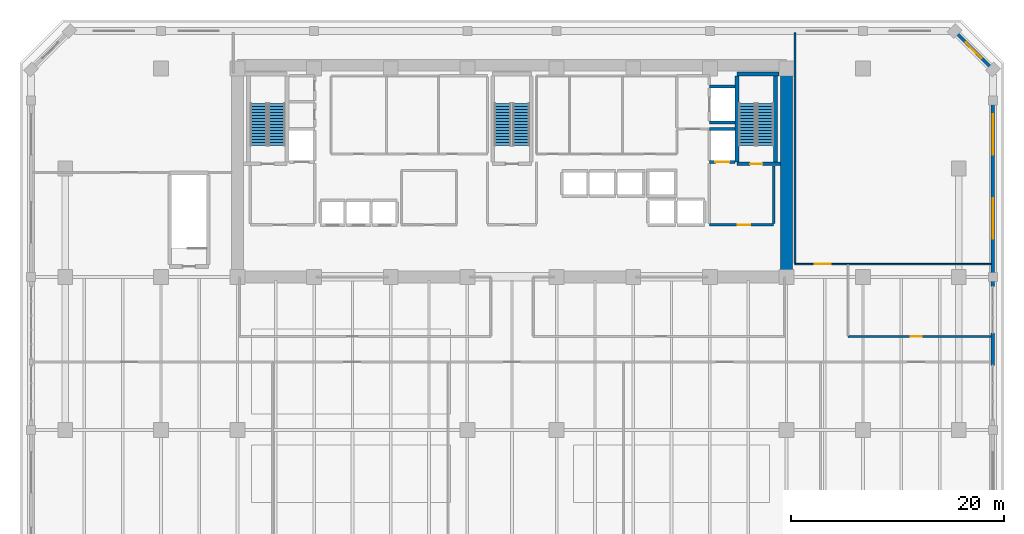
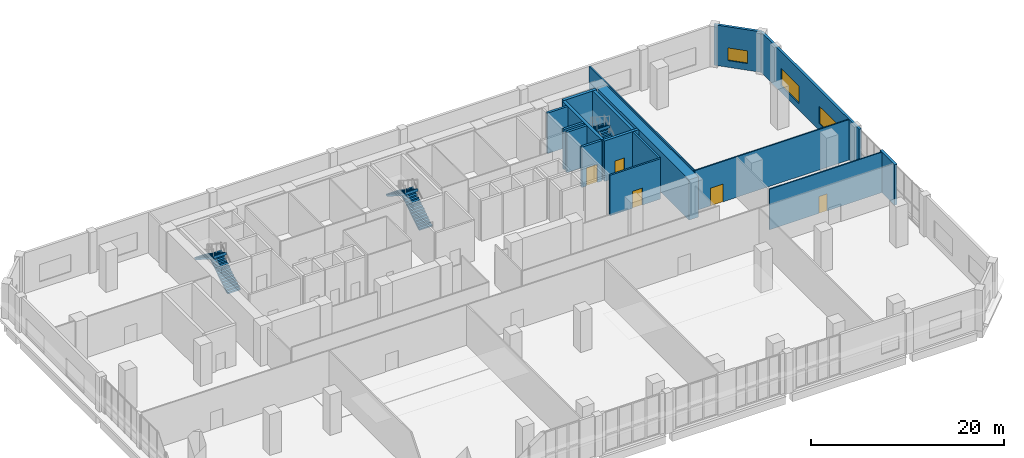
# One storey, part 22 of 25: 17 walls, 6 stair flights, 5 doors, 3 windows, 8 openings, 3 elements without a shape of their own.
"""IFC4 building model written with IfcOpenShell, lengths in metres."""

from ifc_helpers import new_model, si_unit, direction, frame, frame_2d, origin, place, context, subcontext, project, spatial, polyline, rectangle, outline, extrude, material, layer, layer_set, type_object, element, fill, aggregate, save


model = new_model("IFC4")

# Units and contexts
model_context = context("Model", 3, precision=1e-05, world=origin(), true_north=direction((0.0, 1.0)))
body_context = subcontext(model_context, "Body", "Model", "MODEL_VIEW")
ifc_project = project(units=[si_unit("LENGTHUNIT", "METRE"), si_unit("AREAUNIT", "SQUARE_METRE"), si_unit("VOLUMEUNIT", "CUBIC_METRE"), si_unit("PLANEANGLEUNIT", "RADIAN"), si_unit("MASSUNIT", "GRAM", prefix="KILO")], contexts=[model_context])

# Site, building, storey
site_placement = place(None, origin())
site = spatial("IfcSite", under=ifc_project, at=site_placement, CompositionType="ELEMENT")
building_placement = place(site_placement, origin())
building = spatial("IfcBuilding", under=site, at=building_placement, Name="Kaelvorn Grand Hotel", CompositionType="ELEMENT")
storey_placement = place(building_placement, frame((0.0, 0.0, 26.0)))
storey = spatial("IfcBuildingStorey", under=building, at=storey_placement, Name="L04", CompositionType="ELEMENT", Elevation=26.0)

# Walls
ifc_material_1 = material(Name="Concrete C80/95", Category="concrete")
ifc_layer_1 = layer(ifc_material_1, 1.10009765625)
ifc_layer_set_1 = layer_set([ifc_layer_1], Name="Concrete C80/95")
wall_type_1 = type_object("IfcWallType", Name="WL-CORE-1100-C80", PredefinedType="SHEAR", material=ifc_layer_set_1)
wall_1_placement = place(storey_placement, frame((67.800048828125, 29.39990234375, 0.0), z_axis=(0.0, 0.0, 1.0), x_axis=(0.0, 1.0, 0.0)))
element("IfcWall", 1, at=wall_1_placement, inside=storey, type_object=wall_type_1, Name="L04 Rear-Core East Shear Wall", PredefinedType="SHEAR", context=body_context, shape_type="SweptSolid", body=[
    extrude(rectangle(XDim=19.2001953125, YDim=1.10009765625, at=frame_2d((9.60009765625, 0.0))), origin(), (0.0, 0.0, 1.0), 5.1201171875),
])
ifc_material_2 = material(Name="Concrete C40/50", Category="concrete")
ifc_layer_2 = layer(ifc_material_2, 0.300048828125)
ifc_layer_set_2 = layer_set([ifc_layer_2], Name="Concrete C40/50")
wall_type_2 = type_object("IfcWallType", Name="WL-EXT-300-C40", PredefinedType="SOLIDWALL", material=ifc_layer_set_2)
wall_2_placement = place(storey_placement, frame((87.199951171875, 21.074951171875, 0.0), z_axis=(0.0, 0.0, 1.0), x_axis=(0.0, 1.0, 0.0)))
element("IfcWall", 2, at=wall_2_placement, inside=storey, type_object=wall_type_2, Name="L04 Exterior Architectural Concrete Wall 03 Pier 2", PredefinedType="SOLIDWALL", context=body_context, shape_type="SweptSolid", body=[
    extrude(rectangle(XDim=3.050048828125, YDim=0.300048828125, at=frame_2d((1.52490234375, 0.0))), origin(), (0.0, 0.0, 1.0), 5.1201171875),
])

# Wall, openings, windows
wall_3_placement = place(storey_placement, frame((87.199951171875, 28.47509765625, 0.0), z_axis=(0.0, 0.0, 1.0), x_axis=(0.0, 1.0, 0.0)))
wall_3 = element("IfcWall", 3, at=wall_3_placement, inside=storey, type_object=wall_type_2, Name="L04 Exterior Architectural Concrete Wall 03 Pier 3", PredefinedType="SOLIDWALL", context=body_context, shape_type="SweptSolid", body=[
    extrude(rectangle(XDim=20.4248046875, YDim=0.300048828125, at=frame_2d((10.21240234375, 0.0))), origin(), (0.0, 0.0, 1.0), 5.1201171875),
])
opening_1_placement = place(wall_3_placement, frame((4.52490234375, 0.0, 0.85009765625)))
opening_1 = element("IfcOpeningElement", 4, at=opening_1_placement, cuts=wall_3, Name="Opening W9", PredefinedType="OPENING", context=body_context, shape_type="SweptSolid", body=[
    extrude(rectangle(XDim=3.800048828125, YDim=2.199951171875, at=frame_2d((1.89990234375, 1.10009765625))), frame((0.0, 0.16015625, 0.0), z_axis=(0.0, -1.0, 0.0), x_axis=(1.0, 0.0, 0.0)), (0.0, 0.0, 1.0), 0.320068359375),
])
opening_2_placement = place(wall_3_placement, frame((12.425048828125, 0.0, 0.85009765625)))
opening_2 = element("IfcOpeningElement", 5, at=opening_2_placement, cuts=wall_3, Name="Opening W9", PredefinedType="OPENING", context=body_context, shape_type="SweptSolid", body=[
    extrude(rectangle(XDim=3.800048828125, YDim=2.199951171875, at=frame_2d((1.89990234375, 1.10009765625))), frame((0.0, 0.16015625, 0.0), z_axis=(0.0, -1.0, 0.0), x_axis=(1.0, 0.0, 0.0)), (0.0, 0.0, 1.0), 0.320068359375),
])
ifc_material_3 = material(Name="Laminated Low-E Glass", Category="glass")
window_type_1 = type_object("IfcWindowType", Name="WIN-POD-3800x2200", PartitioningType="SINGLE_PANEL", PredefinedType="WINDOW", material=ifc_material_3)
window_1_placement = place(opening_1_placement, origin())
window_1 = element("IfcWindow", 6, at=window_1_placement, inside=storey, type_object=window_type_1, Name="L04 Podium E Ribbon Window 1", OverallHeight=2.199951171875, OverallWidth=3.800048828125, PartitioningType="SINGLE_PANEL", PredefinedType="WINDOW", context=body_context, shape_type="SweptSolid", body=[
    extrude(rectangle(XDim=3.800048828125, YDim=2.199951171875, at=frame_2d((1.89990234375, 1.10009765625))), frame((0.0, 0.030029296875, 0.0), z_axis=(0.0, -1.0, 0.0), x_axis=(1.0, 0.0, 0.0)), (0.0, 0.0, 1.0), 0.06005859375),
])
fill(opening_1, window_1)
window_2_placement = place(opening_2_placement, origin())
window_2 = element("IfcWindow", 7, at=window_2_placement, inside=storey, type_object=window_type_1, Name="L04 Podium E Ribbon Window 2", OverallHeight=2.199951171875, OverallWidth=3.800048828125, PartitioningType="SINGLE_PANEL", PredefinedType="WINDOW", context=body_context, shape_type="SweptSolid", body=[
    extrude(rectangle(XDim=3.800048828125, YDim=2.199951171875, at=frame_2d((1.89990234375, 1.10009765625))), frame((0.0, 0.030029296875, 0.0), z_axis=(0.0, -1.0, 0.0), x_axis=(1.0, 0.0, 0.0)), (0.0, 0.0, 1.0), 0.06005859375),
])
fill(opening_2, window_2)

# Wall, opening, window
wall_4_placement = place(storey_placement, frame((87.199951171875, 48.89990234375, 0.0), z_axis=(0.0, 0.0, 1.0), x_axis=(-0.707082803744, 0.707130757816, 0.0)))
wall_4 = element("IfcWall", 8, at=wall_4_placement, inside=storey, type_object=wall_type_2, Name="L04 Exterior Architectural Concrete Wall 04", PredefinedType="SOLIDWALL", context=body_context, shape_type="SweptSolid", body=[
    extrude(rectangle(XDim=5.091064453125, YDim=0.300048828125, at=frame_2d((2.54541015625, 0.0))), origin(), (0.0, 0.0, 1.0), 5.1201171875),
])
opening_3_placement = place(wall_4_placement, frame((1.49560546875, 0.0, 0.85009765625)))
opening_3 = element("IfcOpeningElement", 9, at=opening_3_placement, cuts=wall_4, Name="Opening W7", PredefinedType="OPENING", context=body_context, shape_type="SweptSolid", body=[
    extrude(rectangle(XDim=2.10009765625, YDim=1.60009765625, at=frame_2d((1.050048828125, 0.800048828125))), frame((0.0, 0.16015625, 0.0), z_axis=(0.0, -1.0, 0.0), x_axis=(1.0, 0.0, 0.0)), (0.0, 0.0, 1.0), 0.320068359375),
])
window_type_2 = type_object("IfcWindowType", Name="WIN-CHM-2100x1600", PartitioningType="SINGLE_PANEL", PredefinedType="WINDOW", material=ifc_material_3)
window_3_placement = place(opening_3_placement, origin())
window_3 = element("IfcWindow", 10, at=window_3_placement, inside=storey, type_object=window_type_2, Name="L04 Chamfered 45-Degree Corner Window NE", OverallHeight=1.60009765625, OverallWidth=2.10009765625, PartitioningType="SINGLE_PANEL", PredefinedType="WINDOW", context=body_context, shape_type="SweptSolid", body=[
    extrude(rectangle(XDim=2.10009765625, YDim=1.60009765625, at=frame_2d((1.050048828125, 0.800048828125))), frame((0.0, 0.030029296875, 0.0), z_axis=(0.0, -1.0, 0.0), x_axis=(1.0, 0.0, 0.0)), (0.0, 0.0, 1.0), 0.06005859375),
])
fill(opening_3, window_3)

# Wall, opening, door
ifc_material_4 = material(Name="Acoustic Gypsum & Stud Partition")
ifc_layer_3 = layer(ifc_material_4, 0.14990234375)
ifc_layer_set_3 = layer_set([ifc_layer_3], Name="Acoustic Gypsum & Stud Partition")
wall_type_3 = type_object("IfcWallType", Name="WL-PART-150-EI60", PredefinedType="PARTITIONING", material=ifc_layer_set_3)
wall_5_placement = place(storey_placement, frame((68.60009765625, 30.60009765625, 0.0), z_axis=(0.0, 0.0, 1.0), x_axis=(1.0, 0.0, 0.0)))
wall_5 = element("IfcWall", 11, at=wall_5_placement, inside=storey, type_object=wall_type_3, Name="L04 L04 North-East Hospitality Office & Prep Suite S Partition", PredefinedType="PARTITIONING", context=body_context, shape_type="SweptSolid", body=[
    extrude(rectangle(XDim=18.44482421875, YDim=0.14990234375, at=frame_2d((9.222412109375, 0.0))), origin(), (0.0, 0.0, 1.0), 5.1201171875),
])
opening_4_placement = place(wall_5_placement, frame((1.85009765625, 0.0, 0.0)))
opening_4 = element("IfcOpeningElement", 12, at=opening_4_placement, cuts=wall_5, Name="Opening DI5", PredefinedType="OPENING", context=body_context, shape_type="SweptSolid", body=[
    extrude(rectangle(XDim=1.5, YDim=2.25, at=frame_2d((0.75, 1.125))), frame((0.0, 0.0849609375, 0.0), z_axis=(0.0, -1.0, 0.0), x_axis=(1.0, 0.0, 0.0)), (0.0, 0.0, 1.0), 0.169921875),
])
ifc_material_5 = material(Name="Timber Veneer Fire Leaf", Category="wood")
door_type_1 = type_object("IfcDoorType", Name="DR-INT-SALON-1500x2250", OperationType="DOUBLE_DOOR_SINGLE_SWING", PredefinedType="DOOR", material=ifc_material_5)
door_1_placement = place(opening_4_placement, origin())
door_1 = element("IfcDoor", 13, at=door_1_placement, inside=storey, type_object=door_type_1, Name="L04 L04 North-East Hospitality Office & Prep Suite Door", OperationType="DOUBLE_DOOR_SINGLE_SWING", OverallHeight=2.25, OverallWidth=1.5, PredefinedType="DOOR", context=body_context, shape_type="SweptSolid", body=[
    extrude(rectangle(XDim=1.5, YDim=2.25, at=frame_2d((0.75, 1.125))), frame((0.0, 0.02490234375, 0.0), z_axis=(0.0, -1.0, 0.0), x_axis=(1.0, 0.0, 0.0)), (0.0, 0.0, 1.0), 0.050048828125),
])
fill(opening_4, door_1)

# Wall
wall_6_placement = place(storey_placement, frame((68.60009765625, 30.679931640625, 0.0), z_axis=(0.0, 0.0, 1.0), x_axis=(0.0, 1.0, 0.0)))
element("IfcWall", 14, at=wall_6_placement, inside=storey, type_object=wall_type_3, Name="L04 L04 North-East Hospitality Office & Prep Suite W Partition", PredefinedType="PARTITIONING", context=body_context, shape_type="SweptSolid", body=[
    extrude(rectangle(XDim=21.6650390625, YDim=0.14990234375, at=frame_2d((10.83251953125, 0.0))), origin(), (0.0, 0.0, 1.0), 5.1201171875),
])

# Wall, opening, door
wall_7_placement = place(storey_placement, frame((73.60009765625, 23.800048828125, 0.0), z_axis=(0.0, 0.0, 1.0), x_axis=(1.0, 0.0, 0.0)))
wall_7 = element("IfcWall", 15, at=wall_7_placement, inside=storey, type_object=wall_type_3, Name="L04 L04 East Podium Support Office S Partition", PredefinedType="PARTITIONING", context=body_context, shape_type="SweptSolid", body=[
    extrude(rectangle(XDim=13.44482421875, YDim=0.14990234375, at=frame_2d((6.722412109375, 0.0))), origin(), (0.0, 0.0, 1.0), 5.1201171875),
])
opening_5_placement = place(wall_7_placement, frame((5.89990234375, 0.0, 0.0)))
opening_5 = element("IfcOpeningElement", 16, at=opening_5_placement, cuts=wall_7, Name="Opening DI3", PredefinedType="OPENING", context=body_context, shape_type="SweptSolid", body=[
    extrude(rectangle(XDim=1.0, YDim=2.14990234375, at=frame_2d((0.5, 1.074951171875))), frame((0.0, 0.0849609375, 0.0), z_axis=(0.0, -1.0, 0.0), x_axis=(1.0, 0.0, 0.0)), (0.0, 0.0, 1.0), 0.169921875),
])
door_type_2 = type_object("IfcDoorType", Name="DR-INT-GUEST-1000x2150", OperationType="NOTDEFINED", PredefinedType="DOOR", material=ifc_material_5)
door_2_placement = place(opening_5_placement, origin())
door_2 = element("IfcDoor", 17, at=door_2_placement, inside=storey, type_object=door_type_2, Name="L04 L04 East Podium Support Office Door", OperationType="SINGLE_SWING_RIGHT", OverallHeight=2.14990234375, OverallWidth=1.0, PredefinedType="DOOR", context=body_context, shape_type="SweptSolid", body=[
    extrude(rectangle(XDim=1.0, YDim=2.14990234375, at=frame_2d((0.5, 1.074951171875))), frame((0.0, 0.02490234375, 0.0), z_axis=(0.0, -1.0, 0.0), x_axis=(1.0, 0.0, 0.0)), (0.0, 0.0, 1.0), 0.050048828125),
])
fill(opening_5, door_2)

ifc_layer_4 = layer(ifc_material_2, 0.219970703125)
ifc_layer_set_4 = layer_set([ifc_layer_4], Name="Concrete C40/50")
wall_type_4 = type_object("IfcWallType", Name="WL-PART-220-EI120", PredefinedType="PARTITIONING", material=ifc_layer_set_4)
wall_8_placement = place(storey_placement, frame((60.550048828125, 34.300048828125, 0.0), z_axis=(0.0, 0.0, 1.0), x_axis=(1.0, 0.0, 0.0)))
wall_8 = element("IfcWall", 18, at=wall_8_placement, inside=storey, type_object=wall_type_4, Name="L04 Firefighting Lift Lobby 2 S Partition", PredefinedType="PARTITIONING", context=body_context, shape_type="SweptSolid", body=[
    extrude(rectangle(XDim=6.050048828125, YDim=0.219970703125, at=frame_2d((3.02490234375, 0.0))), origin(), (0.0, 0.0, 1.0), 5.1201171875),
])
opening_6_placement = place(wall_8_placement, frame((2.64990234375, 0.0, 0.0)))
opening_6 = element("IfcOpeningElement", 19, at=opening_6_placement, cuts=wall_8, Name="Opening DI2", PredefinedType="OPENING", context=body_context, shape_type="SweptSolid", body=[
    extrude(rectangle(XDim=1.199951171875, YDim=2.14990234375, at=frame_2d((0.60009765625, 1.074951171875))), frame((0.0, 0.1201171875, 0.0), z_axis=(0.0, -1.0, 0.0), x_axis=(1.0, 0.0, 0.0)), (0.0, 0.0, 1.0), 0.239990234375),
])
door_type_3 = type_object("IfcDoorType", Name="DR-INT-FFLOB-1200x2150", OperationType="NOTDEFINED", PredefinedType="DOOR", material=ifc_material_5)
door_3_placement = place(opening_6_placement, origin())
door_3 = element("IfcDoor", 20, at=door_3_placement, inside=storey, type_object=door_type_3, Name="L04 Firefighting Lift Lobby 2 Door", OperationType="SINGLE_SWING_RIGHT", OverallHeight=2.14990234375, OverallWidth=1.199951171875, PredefinedType="DOOR", context=body_context, shape_type="SweptSolid", body=[
    extrude(rectangle(XDim=1.199951171875, YDim=2.14990234375, at=frame_2d((0.60009765625, 1.074951171875))), frame((0.0, 0.02490234375, 0.0), z_axis=(0.0, -1.0, 0.0), x_axis=(1.0, 0.0, 0.0)), (0.0, 0.0, 1.0), 0.050048828125),
])
fill(opening_6, door_3)

# Wall
wall_9_placement = place(storey_placement, frame((66.60009765625, 34.4150390625, 0.0), z_axis=(0.0, 0.0, 1.0), x_axis=(0.0, 1.0, 0.0)))
element("IfcWall", 21, at=wall_9_placement, inside=storey, type_object=wall_type_4, Name="L04 Firefighting Lift Lobby 2 E Partition", PredefinedType="PARTITIONING", context=body_context, shape_type="SweptSolid", body=[
    extrude(rectangle(XDim=5.429931640625, YDim=0.219970703125, at=frame_2d((2.71484375, 0.0))), origin(), (0.0, 0.0, 1.0), 5.1201171875),
])

# Wall, opening, door
ifc_material_6 = material(Name="Concrete C50/60", Category="concrete")
ifc_layer_5 = layer(ifc_material_6, 0.280029296875)
ifc_layer_set_5 = layer_set([ifc_layer_5], Name="Concrete C50/60")
wall_type_5 = type_object("IfcWallType", Name="WL-SHAFT-280-C50", PredefinedType="SHEAR", material=ifc_layer_set_5)
wall_10_placement = place(storey_placement, frame((60.550048828125, 40.199951171875, 0.0), z_axis=(0.0, 0.0, 1.0), x_axis=(1.0, 0.0, 0.0)))
wall_10 = element("IfcWall", 22, at=wall_10_placement, inside=storey, type_object=wall_type_5, Name="L04 Lift FFL2 Shaft South Wall", PredefinedType="SHEAR", context=body_context, shape_type="SweptSolid", body=[
    extrude(rectangle(XDim=2.4150390625, YDim=0.280029296875, at=frame_2d((1.20751953125, 0.0))), origin(), (0.0, 0.0, 1.0), 5.1201171875),
])
opening_7_placement = place(wall_10_placement, frame((0.574951171875, 0.0, 0.0)))
opening_7 = element("IfcOpeningElement", 23, at=opening_7_placement, cuts=wall_10, Name="Opening LD-FFL2", PredefinedType="OPENING", context=body_context, shape_type="SweptSolid", body=[
    extrude(rectangle(XDim=1.300048828125, YDim=2.300048828125, at=frame_2d((0.64990234375, 1.14990234375))), frame((0.0, 0.14990234375, 0.0), z_axis=(0.0, -1.0, 0.0), x_axis=(1.0, 0.0, 0.0)), (0.0, 0.0, 1.0), 0.300048828125),
])
ifc_material_7 = material(Name="Stainless Steel", Category="steel")
door_type_4 = type_object("IfcDoorType", Name="DR-LIFT-SERV-1300x2300", OperationType="DOUBLE_DOOR_SLIDING", PredefinedType="DOOR", material=ifc_material_7)
door_4_placement = place(opening_7_placement, origin())
door_4 = element("IfcDoor", 24, at=door_4_placement, inside=storey, type_object=door_type_4, Name="L04 Lift FFL2 Sliding Landing Door LD-FFL2", OperationType="DOUBLE_DOOR_SLIDING", OverallHeight=2.300048828125, OverallWidth=1.300048828125, PredefinedType="DOOR", context=body_context, shape_type="SweptSolid", body=[
    extrude(rectangle(XDim=1.300048828125, YDim=2.300048828125, at=frame_2d((0.64990234375, 1.14990234375))), frame((0.0, 0.02490234375, 0.0), z_axis=(0.0, -1.0, 0.0), x_axis=(1.0, 0.0, 0.0)), (0.0, 0.0, 1.0), 0.050048828125),
])
fill(opening_7, door_4)

# Walls
for number, where, z_axis, x_axis, name in (
    (25, (60.550048828125, 43.300048828125, 0.0), (0.0, 0.0, 1.0), (1.0, 0.0, 0.0), "L04 Lift FFL2 Shaft North Wall"),
    (26, (60.550048828125, 43.89990234375, 0.0), (0.0, 0.0, 1.0), (1.0, 0.0, 0.0), "L04 Lift SV1 Shaft South Wall"),
    (27, (60.550048828125, 47.300048828125, 0.0), (0.0, 0.0, 1.0), (1.0, 0.0, 0.0), "L04 Lift SV1 Shaft North Wall"),
):
    element("IfcWall", number, at=place(storey_placement, frame(where, z_axis=z_axis, x_axis=x_axis)), inside=storey, type_object=wall_type_5, Name=name, PredefinedType="SHEAR", context=body_context, shape_type="SweptSolid", body=[
        extrude(rectangle(XDim=2.4150390625, YDim=0.280029296875, at=frame_2d((1.20751953125, 0.0))), origin(), (0.0, 0.0, 1.0), 5.1201171875),
    ])

# Wall, opening, door
ifc_material_8 = material(Name="Concrete C60/75", Category="concrete")
ifc_layer_6 = layer(ifc_material_8, 0.35009765625)
ifc_layer_set_6 = layer_set([ifc_layer_6], Name="Concrete C60/75")
wall_type_6 = type_object("IfcWallType", Name="WL-SHAFT-350-C60", PredefinedType="SHEAR", material=ifc_layer_set_6)
wall_11_placement = place(storey_placement, frame((63.14501953125, 40.02490234375, 0.0), z_axis=(0.0, 0.0, 1.0), x_axis=(1.0, 0.0, 0.0)))
wall_11 = element("IfcWall", 28, at=wall_11_placement, inside=storey, type_object=wall_type_6, Name="L04 ST3 Stair Shaft South Wall", PredefinedType="SHEAR", context=body_context, shape_type="SweptSolid", body=[
    extrude(rectangle(XDim=4.10009765625, YDim=0.35009765625, at=frame_2d((2.050048828125, 0.0))), origin(), (0.0, 0.0, 1.0), 5.1201171875),
])
opening_8_placement = place(wall_11_placement, frame((1.239990234375, 0.0, 0.0)))
opening_8 = element("IfcOpeningElement", 29, at=opening_8_placement, cuts=wall_11, Name="Opening DI1", PredefinedType="OPENING", context=body_context, shape_type="SweptSolid", body=[
    extrude(rectangle(XDim=1.14990234375, YDim=2.14990234375, at=frame_2d((0.574951171875, 1.074951171875))), frame((0.0, 0.18505859375, 0.0), z_axis=(0.0, -1.0, 0.0), x_axis=(1.0, 0.0, 0.0)), (0.0, 0.0, 1.0), 0.3701171875),
])
door_type_5 = type_object("IfcDoorType", Name="DR-INT-STAIR-1150x2150", OperationType="NOTDEFINED", PredefinedType="DOOR", material=ifc_material_5)
door_5_placement = place(opening_8_placement, origin())
door_5 = element("IfcDoor", 30, at=door_5_placement, inside=storey, type_object=door_type_5, Name="L04 ST3 Exit Stair Fire Door", OperationType="SINGLE_SWING_LEFT", OverallHeight=2.14990234375, OverallWidth=1.14990234375, PredefinedType="DOOR", context=body_context, shape_type="SweptSolid", body=[
    extrude(rectangle(XDim=1.14990234375, YDim=2.14990234375, at=frame_2d((0.574951171875, 1.074951171875))), frame((0.0, 0.02490234375, 0.0), z_axis=(0.0, -1.0, 0.0), x_axis=(1.0, 0.0, 0.0)), (0.0, 0.0, 1.0), 0.050048828125),
])
fill(opening_8, door_5)

# Walls
wall_12_placement = place(storey_placement, frame((63.14501953125, 48.47509765625, 0.0), z_axis=(0.0, 0.0, 1.0), x_axis=(1.0, 0.0, 0.0)))
element("IfcWall", 31, at=wall_12_placement, inside=storey, type_object=wall_type_6, Name="L04 ST3 Stair Shaft North Wall", PredefinedType="SHEAR", context=body_context, shape_type="SweptSolid", body=[
    extrude(rectangle(XDim=3.949951171875, YDim=0.35009765625, at=frame_2d((1.97509765625, 0.0))), origin(), (0.0, 0.0, 1.0), 5.1201171875),
])
for number, where, z_axis, x_axis, name in (
    (32, (63.14501953125, 40.205078125, 0.0), (0.0, 0.0, 1.0), (0.0, 1.0, 0.0), "L04 ST3 Stair Shaft West Wall"),
    (33, (66.77490234375, 40.205078125, 0.0), (0.0, 0.0, 1.0), (0.0, 1.0, 0.0), "L04 ST3 Stair Shaft East Wall"),
):
    element("IfcWall", number, at=place(storey_placement, frame(where, z_axis=z_axis, x_axis=x_axis)), inside=storey, type_object=wall_type_6, Name=name, PredefinedType="SHEAR", context=body_context, shape_type="SweptSolid", body=[
        extrude(rectangle(XDim=8.08984375, YDim=0.35009765625, at=frame_2d((4.044921875, 0.0))), origin(), (0.0, 0.0, 1.0), 5.1201171875),
    ])

# Stair, stair flights
stair_type = type_object("IfcStairType", Name="STR-DOG-1560-R04", PredefinedType="HALF_TURN_STAIR", material=ifc_material_2)
stair_1_placement = place(storey_placement, origin())
stair_1 = element("IfcStair", 34, at=stair_1_placement, inside=storey, type_object=stair_type, Name="L04 West Core Exit Stair ST1", PredefinedType="HALF_TURN_STAIR")
stair_flight_type = type_object("IfcStairFlightType", Name="FLG-DOG-1560-R04", PredefinedType="STRAIGHT", material=ifc_material_2)
stair_flight_1_placement = place(storey_placement, frame((19.89990234375, 41.760009765625, 0.0), z_axis=(0.0, 0.0, 1.0), x_axis=(0.0, 1.0, 0.0)))
stair_flight_1 = element("IfcStairFlight", 35, at=stair_flight_1_placement, type_object=stair_flight_type, Name="ST1 flight 1", NumberOfRisers=15, NumberOfTreads=14, PredefinedType="STRAIGHT", RiserHeight=0.18, TreadLength=0.28, context=body_context, shape_type="SweptSolid", body=[
    extrude(outline(polyline([(-0.0048828125, 0.0), (-0.0048828125, 0.0400390625), (0.0, 0.179931640625), (0.280029296875, 0.179931640625), (0.280029296875, 0.360107421875), (0.56005859375, 0.360107421875), (0.56005859375, 0.5400390625), (0.840087890625, 0.5400390625), (0.840087890625, 0.719970703125), (1.1201171875, 0.719970703125), (1.1201171875, 0.89990234375), (1.39990234375, 0.89990234375), (1.39990234375, 1.080078125), (1.679931640625, 1.080078125), (1.679931640625, 1.260009765625), (1.9599609375, 1.260009765625), (1.9599609375, 1.43994140625), (2.239990234375, 1.43994140625), (2.239990234375, 1.6201171875), (2.52001953125, 1.6201171875), (2.52001953125, 1.800048828125), (2.800048828125, 1.800048828125), (2.800048828125, 1.97998046875), (3.080078125, 1.97998046875), (3.080078125, 2.159912109375), (3.360107421875, 2.159912109375), (3.360107421875, 2.340087890625), (3.639892578125, 2.340087890625), (3.639892578125, 2.52001953125), (3.919921875, 2.52001953125), (3.919921875, 2.699951171875), (3.925048828125, 2.699951171875), (3.925048828125, 2.341796875), (0.277099609375, 0.0), (-0.0048828125, 0.0)])), frame((0.0, 0.780029296875, 0.0), z_axis=(0.0, -1.0, 0.0), x_axis=(1.0, 0.0, 0.0)), (0.0, 0.0, 1.0), 1.56005859375),
])
stair_flight_2_placement = place(storey_placement, frame((18.179931640625, 45.679931640625, 2.699951171875), z_axis=(0.0, 0.0, 1.0), x_axis=(0.0, -1.0, 0.0)))
stair_flight_2 = element("IfcStairFlight", 36, at=stair_flight_2_placement, type_object=stair_flight_type, Name="ST1 flight 2", NumberOfRisers=15, NumberOfTreads=14, PredefinedType="STRAIGHT", RiserHeight=0.18, TreadLength=0.28, context=body_context, shape_type="SweptSolid", body=[
    extrude(outline(polyline([(-0.0048828125, 0.0), (-0.0048828125, 0.0400390625), (0.0, 0.179931640625), (0.280029296875, 0.179931640625), (0.280029296875, 0.360107421875), (0.56005859375, 0.360107421875), (0.56005859375, 0.5400390625), (0.840087890625, 0.5400390625), (0.840087890625, 0.719970703125), (1.1201171875, 0.719970703125), (1.1201171875, 0.89990234375), (1.39990234375, 0.89990234375), (1.39990234375, 1.080078125), (1.679931640625, 1.080078125), (1.679931640625, 1.260009765625), (1.9599609375, 1.260009765625), (1.9599609375, 1.43994140625), (2.239990234375, 1.43994140625), (2.239990234375, 1.6201171875), (2.52001953125, 1.6201171875), (2.52001953125, 1.800048828125), (2.800048828125, 1.800048828125), (2.800048828125, 1.97998046875), (3.080078125, 1.97998046875), (3.080078125, 2.159912109375), (3.360107421875, 2.159912109375), (3.360107421875, 2.340087890625), (3.639892578125, 2.340087890625), (3.639892578125, 2.52001953125), (3.919921875, 2.52001953125), (3.919921875, 2.699951171875), (3.925048828125, 2.699951171875), (3.925048828125, 2.341796875), (0.277099609375, 0.0), (-0.0048828125, 0.0)])), frame((0.0, 0.780029296875, 0.0), z_axis=(0.0, -1.0, 0.0), x_axis=(1.0, 0.0, 0.0)), (0.0, 0.0, 1.0), 1.56005859375),
])
aggregate(stair_1, [stair_flight_1, stair_flight_2])

stair_2_placement = place(storey_placement, origin())
stair_2 = element("IfcStair", 37, at=stair_2_placement, inside=storey, type_object=stair_type, Name="L04 Central Core Exit Stair ST2", PredefinedType="HALF_TURN_STAIR")
stair_flight_3_placement = place(storey_placement, frame((42.860107421875, 41.760009765625, 0.0), z_axis=(0.0, 0.0, 1.0), x_axis=(0.0, 1.0, 0.0)))
stair_flight_3 = element("IfcStairFlight", 38, at=stair_flight_3_placement, type_object=stair_flight_type, Name="ST2 flight 1", NumberOfRisers=15, NumberOfTreads=14, PredefinedType="STRAIGHT", RiserHeight=0.18, TreadLength=0.28, context=body_context, shape_type="SweptSolid", body=[
    extrude(outline(polyline([(-0.0048828125, 0.0), (-0.0048828125, 0.0400390625), (0.0, 0.179931640625), (0.280029296875, 0.179931640625), (0.280029296875, 0.360107421875), (0.56005859375, 0.360107421875), (0.56005859375, 0.5400390625), (0.840087890625, 0.5400390625), (0.840087890625, 0.719970703125), (1.1201171875, 0.719970703125), (1.1201171875, 0.89990234375), (1.39990234375, 0.89990234375), (1.39990234375, 1.080078125), (1.679931640625, 1.080078125), (1.679931640625, 1.260009765625), (1.9599609375, 1.260009765625), (1.9599609375, 1.43994140625), (2.239990234375, 1.43994140625), (2.239990234375, 1.6201171875), (2.52001953125, 1.6201171875), (2.52001953125, 1.800048828125), (2.800048828125, 1.800048828125), (2.800048828125, 1.97998046875), (3.080078125, 1.97998046875), (3.080078125, 2.159912109375), (3.360107421875, 2.159912109375), (3.360107421875, 2.340087890625), (3.639892578125, 2.340087890625), (3.639892578125, 2.52001953125), (3.919921875, 2.52001953125), (3.919921875, 2.699951171875), (3.925048828125, 2.699951171875), (3.925048828125, 2.341796875), (0.277099609375, 0.0), (-0.0048828125, 0.0)])), frame((0.0, 0.780029296875, 0.0), z_axis=(0.0, -1.0, 0.0), x_axis=(1.0, 0.0, 0.0)), (0.0, 0.0, 1.0), 1.56005859375),
])
stair_flight_4_placement = place(storey_placement, frame((41.139892578125, 45.679931640625, 2.699951171875), z_axis=(0.0, 0.0, 1.0), x_axis=(0.0, -1.0, 0.0)))
stair_flight_4 = element("IfcStairFlight", 39, at=stair_flight_4_placement, type_object=stair_flight_type, Name="ST2 flight 2", NumberOfRisers=15, NumberOfTreads=14, PredefinedType="STRAIGHT", RiserHeight=0.18, TreadLength=0.28, context=body_context, shape_type="SweptSolid", body=[
    extrude(outline(polyline([(-0.0048828125, 0.0), (-0.0048828125, 0.0400390625), (0.0, 0.179931640625), (0.280029296875, 0.179931640625), (0.280029296875, 0.360107421875), (0.56005859375, 0.360107421875), (0.56005859375, 0.5400390625), (0.840087890625, 0.5400390625), (0.840087890625, 0.719970703125), (1.1201171875, 0.719970703125), (1.1201171875, 0.89990234375), (1.39990234375, 0.89990234375), (1.39990234375, 1.080078125), (1.679931640625, 1.080078125), (1.679931640625, 1.260009765625), (1.9599609375, 1.260009765625), (1.9599609375, 1.43994140625), (2.239990234375, 1.43994140625), (2.239990234375, 1.6201171875), (2.52001953125, 1.6201171875), (2.52001953125, 1.800048828125), (2.800048828125, 1.800048828125), (2.800048828125, 1.97998046875), (3.080078125, 1.97998046875), (3.080078125, 2.159912109375), (3.360107421875, 2.159912109375), (3.360107421875, 2.340087890625), (3.639892578125, 2.340087890625), (3.639892578125, 2.52001953125), (3.919921875, 2.52001953125), (3.919921875, 2.699951171875), (3.925048828125, 2.699951171875), (3.925048828125, 2.341796875), (0.277099609375, 0.0), (-0.0048828125, 0.0)])), frame((0.0, 0.780029296875, 0.0), z_axis=(0.0, -1.0, 0.0), x_axis=(1.0, 0.0, 0.0)), (0.0, 0.0, 1.0), 1.56005859375),
])
aggregate(stair_2, [stair_flight_3, stair_flight_4])

stair_3_placement = place(storey_placement, origin())
stair_3 = element("IfcStair", 40, at=stair_3_placement, inside=storey, type_object=stair_type, Name="L04 East Core Exit Stair ST3", PredefinedType="HALF_TURN_STAIR")
stair_flight_5_placement = place(storey_placement, frame((65.820068359375, 41.760009765625, 0.0), z_axis=(0.0, 0.0, 1.0), x_axis=(0.0, 1.0, 0.0)))
stair_flight_5 = element("IfcStairFlight", 41, at=stair_flight_5_placement, type_object=stair_flight_type, Name="ST3 flight 1", NumberOfRisers=15, NumberOfTreads=14, PredefinedType="STRAIGHT", RiserHeight=0.18, TreadLength=0.28, context=body_context, shape_type="SweptSolid", body=[
    extrude(outline(polyline([(-0.0048828125, 0.0), (-0.0048828125, 0.0400390625), (0.0, 0.179931640625), (0.280029296875, 0.179931640625), (0.280029296875, 0.360107421875), (0.56005859375, 0.360107421875), (0.56005859375, 0.5400390625), (0.840087890625, 0.5400390625), (0.840087890625, 0.719970703125), (1.1201171875, 0.719970703125), (1.1201171875, 0.89990234375), (1.39990234375, 0.89990234375), (1.39990234375, 1.080078125), (1.679931640625, 1.080078125), (1.679931640625, 1.260009765625), (1.9599609375, 1.260009765625), (1.9599609375, 1.43994140625), (2.239990234375, 1.43994140625), (2.239990234375, 1.6201171875), (2.52001953125, 1.6201171875), (2.52001953125, 1.800048828125), (2.800048828125, 1.800048828125), (2.800048828125, 1.97998046875), (3.080078125, 1.97998046875), (3.080078125, 2.159912109375), (3.360107421875, 2.159912109375), (3.360107421875, 2.340087890625), (3.639892578125, 2.340087890625), (3.639892578125, 2.52001953125), (3.919921875, 2.52001953125), (3.919921875, 2.699951171875), (3.925048828125, 2.699951171875), (3.925048828125, 2.341796875), (0.277099609375, 0.0), (-0.0048828125, 0.0)])), frame((0.0, 0.780029296875, 0.0), z_axis=(0.0, -1.0, 0.0), x_axis=(1.0, 0.0, 0.0)), (0.0, 0.0, 1.0), 1.56005859375),
])
stair_flight_6_placement = place(storey_placement, frame((64.10009765625, 45.679931640625, 2.699951171875), z_axis=(0.0, 0.0, 1.0), x_axis=(0.0, -1.0, 0.0)))
stair_flight_6 = element("IfcStairFlight", 42, at=stair_flight_6_placement, type_object=stair_flight_type, Name="ST3 flight 2", NumberOfRisers=15, NumberOfTreads=14, PredefinedType="STRAIGHT", RiserHeight=0.18, TreadLength=0.28, context=body_context, shape_type="SweptSolid", body=[
    extrude(outline(polyline([(-0.0048828125, 0.0), (-0.0048828125, 0.0400390625), (0.0, 0.179931640625), (0.280029296875, 0.179931640625), (0.280029296875, 0.360107421875), (0.56005859375, 0.360107421875), (0.56005859375, 0.5400390625), (0.840087890625, 0.5400390625), (0.840087890625, 0.719970703125), (1.1201171875, 0.719970703125), (1.1201171875, 0.89990234375), (1.39990234375, 0.89990234375), (1.39990234375, 1.080078125), (1.679931640625, 1.080078125), (1.679931640625, 1.260009765625), (1.9599609375, 1.260009765625), (1.9599609375, 1.43994140625), (2.239990234375, 1.43994140625), (2.239990234375, 1.6201171875), (2.52001953125, 1.6201171875), (2.52001953125, 1.800048828125), (2.800048828125, 1.800048828125), (2.800048828125, 1.97998046875), (3.080078125, 1.97998046875), (3.080078125, 2.159912109375), (3.360107421875, 2.159912109375), (3.360107421875, 2.340087890625), (3.639892578125, 2.340087890625), (3.639892578125, 2.52001953125), (3.919921875, 2.52001953125), (3.919921875, 2.699951171875), (3.925048828125, 2.699951171875), (3.925048828125, 2.341796875), (0.277099609375, 0.0), (-0.0048828125, 0.0)])), frame((0.0, 0.780029296875, 0.0), z_axis=(0.0, -1.0, 0.0), x_axis=(1.0, 0.0, 0.0)), (0.0, 0.0, 1.0), 1.56005859375),
])
aggregate(stair_3, [stair_flight_5, stair_flight_6])

save(model, "model.ifc")
